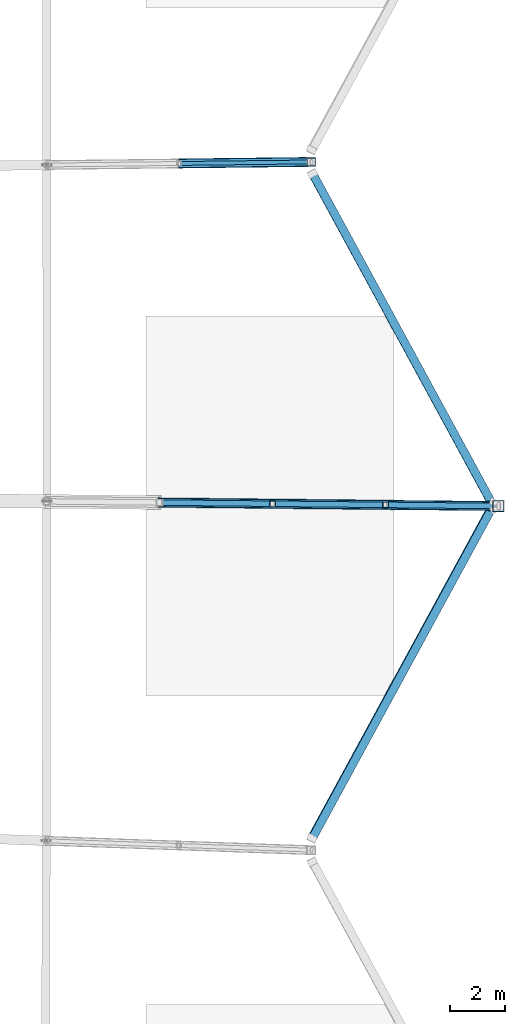
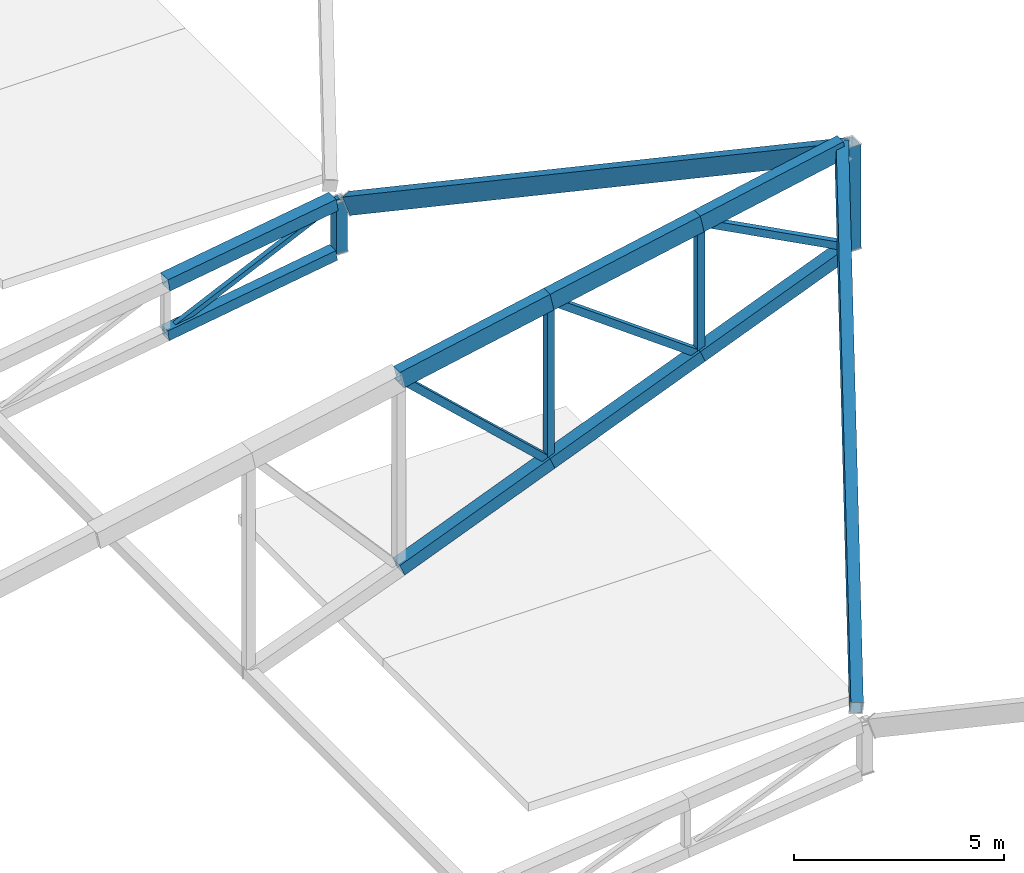
# One storey, part 59 of 188: 16 members, 2 beams.
"""IFC4 building model written with IfcOpenShell, lengths in metres."""

from ifc_helpers import new_model, si_unit, direction, frame, origin, origin_2d, place, context, subcontext, project, spatial, hollow_rectangle, extrude, material, material_profile, profile_set, type_object, element, save


model = new_model("IFC4")

# Units and contexts
model_context = context("Model", 3, precision=1e-05, world=origin(), true_north=direction((0.0, 1.0)))
body_context = subcontext(model_context, "Body", "Model", "MODEL_VIEW")
ifc_project = project(units=[si_unit("LENGTHUNIT", "METRE"), si_unit("AREAUNIT", "SQUARE_METRE"), si_unit("VOLUMEUNIT", "CUBIC_METRE"), si_unit("PLANEANGLEUNIT", "RADIAN"), si_unit("MASSUNIT", "GRAM", prefix="KILO")], contexts=[model_context])

# Site, building, storey
site_placement = place(None, origin())
site = spatial("IfcSite", under=ifc_project, at=site_placement, CompositionType="ELEMENT")
building_placement = place(site_placement, origin())
building = spatial("IfcBuilding", under=site, at=building_placement, Name="Meseta Stadium", CompositionType="ELEMENT")
storey_placement = place(building_placement, frame((0.0, 0.0, 30.0)))
storey = spatial("IfcBuildingStorey", under=building, at=storey_placement, Name="ROOF", CompositionType="ELEMENT", Elevation=30.0)

# Beams
ifc_material_1 = material(Name="Steel S355", Category="steel")
ifc_material_profile_1 = material_profile(ifc_material_1, hollow_rectangle(XDim=0.300048828125, YDim=0.5, WallThickness=0.01611328125, at=origin_2d()), Name="RHS 500x300x16")
ifc_profile_set_1 = profile_set([ifc_material_profile_1], Name="Steel S355")
beam_type = type_object("IfcBeamType", Name="RHS 500x300x16 rim ring beam", PredefinedType="BEAM", material=ifc_profile_set_1)
for number, where, z_axis, x_axis, name in (
    (1, (94.62646484375, -18.314697265625, 3.791015625), (0.431156015659, 0.792587708083, 0.431171909053), (-0.889806270208, 0.452683153892, 0.057643418362), "RIM RING BEAM 04"),
    (2, (101.27001953125, -6.3525390625, 10.407958984375), (-0.431156015659, 0.792587708083, -0.431171909053), (-0.883116799606, -0.468656035226, 0.021592565853), "RIM RING BEAM 05"),
):
    element("IfcBeam", number, at=place(storey_placement, frame(where, z_axis=z_axis, x_axis=x_axis)), inside=storey, type_object=beam_type, Name=name, PredefinedType="BEAM", context=body_context, shape_type="SweptSolid", body=[
        extrude(hollow_rectangle(XDim=0.300048828125, YDim=0.5, WallThickness=0.01611328125, at=origin_2d()), origin(), (0.0, 0.0, 1.0), 15.361083984375),
    ])

# Members
ifc_material_2 = material(Name="Steel S355", Category="steel")
ifc_material_profile_2 = material_profile(ifc_material_2, hollow_rectangle(XDim=0.300048828125, YDim=0.5, WallThickness=0.01611328125, at=origin_2d()), Name="RHS 500x300x16")
ifc_profile_set_2 = profile_set([ifc_material_profile_2], Name="Steel S355")
member_type_1 = type_object("IfcMemberType", Name="RHS 500x300x16 top chord", PredefinedType="CHORD", material=ifc_profile_set_2)
for number, where, z_axis, x_axis, name in (
    (3, (89.09814453125, -6.12353515625, 7.923828125), (0.97869929767, -0.01008067269, 0.205051371071), (0.010299525114, 0.999946958485, 0.0), "ROOF TRUSS RT-04 top chord"),
    (4, (93.19873046875, -6.165771484375, 8.782958984375), (0.978699870896, -0.010022408776, 0.205051491169), (0.010239996548, 0.999947569861, 0.0), "ROOF TRUSS RT-04 top chord"),
):
    element("IfcMember", number, at=place(storey_placement, frame(where, z_axis=z_axis, x_axis=x_axis)), inside=storey, type_object=member_type_1, Name=name, PredefinedType="CHORD", context=body_context, shape_type="SweptSolid", body=[
        extrude(hollow_rectangle(XDim=0.300048828125, YDim=0.5, WallThickness=0.01611328125, at=origin_2d()), origin(), (0.0, 0.0, 1.0), 4.18994140625),
    ])
member_1_placement = place(storey_placement, frame((97.29931640625, -6.207763671875, 9.64208984375), z_axis=(0.97870134622, -0.010096012637, 0.205040838461), x_axis=(0.010315174838, 0.999946797169, 0.0)))
element("IfcMember", 5, at=member_1_placement, inside=storey, type_object=member_type_1, Name="ROOF TRUSS RT-04 top chord", PredefinedType="CHORD", context=body_context, shape_type="SweptSolid", body=[
    extrude(hollow_rectangle(XDim=0.300048828125, YDim=0.5, WallThickness=0.01611328125, at=origin_2d()), origin(), (0.0, 0.0, 1.0), 3.989990234375),
])
ifc_material_3 = material(Name="Steel S355", Category="steel")
ifc_material_profile_3 = material_profile(ifc_material_3, hollow_rectangle(XDim=0.139892578125, YDim=0.139892578125, WallThickness=0.0048828125, at=origin_2d()), Name="SHS 140x140x5")
ifc_profile_set_3 = profile_set([ifc_material_profile_3], Name="Steel S355")
member_type_2 = type_object("IfcMemberType", Name="SHS 140x140x5 diagonal", PredefinedType="BRACE", material=ifc_profile_set_3)
member_2_placement = place(storey_placement, frame((89.798583984375, 6.193603515625, 1.4970703125), z_axis=(0.910898756828, 0.010699019313, 0.412491194809), x_axis=(-0.01174475352, 0.999931028004, 0.0)))
element("IfcMember", 6, at=member_2_placement, inside=storey, type_object=member_type_2, Name="ROOF TRUSS RT-05 diagonal", PredefinedType="BRACE", context=body_context, shape_type="SweptSolid", body=[
    extrude(hollow_rectangle(XDim=0.139892578125, YDim=0.139892578125, WallThickness=0.0048828125, at=origin_2d()), origin(), (0.0, 0.0, 1.0), 5.271240234375),
])
ifc_material_4 = material(Name="Steel S355", Category="steel")
ifc_material_profile_4 = material_profile(ifc_material_4, hollow_rectangle(XDim=0.199951171875, YDim=0.199951171875, WallThickness=0.008056640625, at=origin_2d()), Name="SHS 200x200x8")
ifc_profile_set_4 = profile_set([ifc_material_profile_4], Name="Steel S355")
member_type_3 = type_object("IfcMemberType", Name="SHS 200x200x8 diagonal", PredefinedType="BRACE", material=ifc_profile_set_4)
member_3_placement = place(storey_placement, frame((89.09814453125, -6.12353515625, 7.923828125), z_axis=(0.732778834154, -0.007547674346, -0.680425023664), x_axis=(0.010299525114, 0.999946958485, 0.0)))
element("IfcMember", 7, at=member_3_placement, inside=storey, type_object=member_type_3, Name="ROOF TRUSS RT-04 diagonal", PredefinedType="BRACE", context=body_context, shape_type="SweptSolid", body=[
    extrude(hollow_rectangle(XDim=0.199951171875, YDim=0.199951171875, WallThickness=0.008056640625, at=origin_2d()), origin(), (0.0, 0.0, 1.0), 5.595947265625),
])
member_4_placement = place(storey_placement, frame((93.19873046875, -6.165771484375, 8.782958984375), z_axis=(0.809470389338, -0.008289408607, -0.587102184027), x_axis=(0.010239996548, 0.999947569861, 0.0)))
element("IfcMember", 8, at=member_4_placement, inside=storey, type_object=member_type_3, Name="ROOF TRUSS RT-04 diagonal", PredefinedType="BRACE", context=body_context, shape_type="SweptSolid", body=[
    extrude(hollow_rectangle(XDim=0.199951171875, YDim=0.199951171875, WallThickness=0.008056640625, at=origin_2d()), origin(), (0.0, 0.0, 1.0), 5.065673828125),
])
member_5_placement = place(storey_placement, frame((97.29931640625, -6.207763671875, 9.64208984375), z_axis=(0.886420820762, -0.009130197785, -0.462790198694), x_axis=(0.010299525114, 0.999946958485, 0.0)))
element("IfcMember", 9, at=member_5_placement, inside=storey, type_object=member_type_3, Name="ROOF TRUSS RT-04 diagonal", PredefinedType="BRACE", context=body_context, shape_type="SweptSolid", body=[
    extrude(hollow_rectangle(XDim=0.199951171875, YDim=0.199951171875, WallThickness=0.008056640625, at=origin_2d()), origin(), (0.0, 0.0, 1.0), 4.6259765625),
])
ifc_material_5 = material(Name="Steel S355", Category="steel")
ifc_material_profile_5 = material_profile(ifc_material_5, hollow_rectangle(XDim=0.199951171875, YDim=0.199951171875, WallThickness=0.008056640625, at=origin_2d()), Name="SHS 200x200x8")
ifc_profile_set_5 = profile_set([ifc_material_profile_5], Name="Steel S355")
member_type_4 = type_object("IfcMemberType", Name="SHS 200x200x8 post", PredefinedType="POST", material=ifc_profile_set_5)
member_6_placement = place(storey_placement, frame((93.19873046875, -6.165771484375, 4.1162109375), z_axis=(0.0, 0.0, 1.0), x_axis=(1.0, 0.0, 0.0)))
element("IfcMember", 10, at=member_6_placement, inside=storey, type_object=member_type_4, Name="ROOF TRUSS RT-04 post", PredefinedType="POST", context=body_context, shape_type="SweptSolid", body=[
    extrude(hollow_rectangle(XDim=0.199951171875, YDim=0.199951171875, WallThickness=0.008056640625, at=origin_2d()), origin(), (0.0, 0.0, 1.0), 4.666748046875),
])
member_7_placement = place(storey_placement, frame((97.29931640625, -6.207763671875, 5.808837890625), z_axis=(0.0, 0.0, 1.0), x_axis=(1.0, 0.0, 0.0)))
element("IfcMember", 11, at=member_7_placement, inside=storey, type_object=member_type_4, Name="ROOF TRUSS RT-04 post", PredefinedType="POST", context=body_context, shape_type="SweptSolid", body=[
    extrude(hollow_rectangle(XDim=0.199951171875, YDim=0.199951171875, WallThickness=0.008056640625, at=origin_2d()), origin(), (0.0, 0.0, 1.0), 3.833251953125),
])
ifc_material_6 = material(Name="Steel S355", Category="steel")
ifc_material_profile_6 = material_profile(ifc_material_6, hollow_rectangle(XDim=0.300048828125, YDim=0.300048828125, WallThickness=0.010009765625, at=origin_2d()), Name="SHS 300x300x10")
ifc_profile_set_6 = profile_set([ifc_material_profile_6], Name="Steel S355")
member_type_5 = type_object("IfcMemberType", Name="SHS 300x300x10 bottom chord", PredefinedType="CHORD", material=ifc_profile_set_6)
member_8_placement = place(storey_placement, frame((89.798583984375, 6.193603515625, 1.4970703125), z_axis=(0.989565446191, 0.011630340519, 0.143613936941), x_axis=(-0.011752165946, 0.999930940913, 0.0)))
element("IfcMember", 12, at=member_8_placement, inside=storey, type_object=member_type_5, Name="ROOF TRUSS RT-05 bottom chord", PredefinedType="CHORD", context=body_context, shape_type="SweptSolid", body=[
    extrude(hollow_rectangle(XDim=0.300048828125, YDim=0.300048828125, WallThickness=0.010009765625, at=origin_2d()), origin(), (0.0, 0.0, 1.0), 4.7021484375),
])
ifc_material_7 = material(Name="Steel S355", Category="steel")
ifc_material_profile_7 = material_profile(ifc_material_7, hollow_rectangle(XDim=0.300048828125, YDim=0.300048828125, WallThickness=0.010009765625, at=origin_2d()), Name="SHS 300x300x10")
ifc_profile_set_7 = profile_set([ifc_material_profile_7], Name="Steel S355")
member_type_6 = type_object("IfcMemberType", Name="SHS 300x300x10 rim post", PredefinedType="POST", material=ifc_profile_set_7)
member_9_placement = place(storey_placement, frame((94.60009765625, 6.25, 2.19384765625), z_axis=(0.0, 0.0, 1.0), x_axis=(1.0, 0.0, 0.0)))
element("IfcMember", 13, at=member_9_placement, inside=storey, type_object=member_type_6, Name="ROOF TRUSS RT-05 post", PredefinedType="POST", context=body_context, shape_type="SweptSolid", body=[
    extrude(hollow_rectangle(XDim=0.300048828125, YDim=0.300048828125, WallThickness=0.010009765625, at=origin_2d()), origin(), (0.0, 0.0, 1.0), 1.4775390625),
])
ifc_material_8 = material(Name="Steel S355", Category="steel")
ifc_material_profile_8 = material_profile(ifc_material_8, hollow_rectangle(XDim=0.35009765625, YDim=0.35009765625, WallThickness=0.010009765625, at=origin_2d()), Name="SHS 350x350x10")
ifc_profile_set_8 = profile_set([ifc_material_profile_8], Name="Steel S355")
member_type_7 = type_object("IfcMemberType", Name="SHS 350x350x10 bottom chord", PredefinedType="CHORD", material=ifc_profile_set_8)
for number, where, z_axis, x_axis, name in (
    (14, (89.09814453125, -6.12353515625, 2.423828125), (0.924325878, -0.009520622582, 0.381485293302), (0.010299525114, 0.999946958485, 0.0), "ROOF TRUSS RT-04 bottom chord"),
    (15, (93.19873046875, -6.165771484375, 4.1162109375), (0.924306954696, -0.009465396297, 0.3815325147), (0.010239996548, 0.999947569861, 0.0), "ROOF TRUSS RT-04 bottom chord"),
):
    element("IfcMember", number, at=place(storey_placement, frame(where, z_axis=z_axis, x_axis=x_axis)), inside=storey, type_object=member_type_7, Name=name, PredefinedType="CHORD", context=body_context, shape_type="SweptSolid", body=[
        extrude(hollow_rectangle(XDim=0.35009765625, YDim=0.35009765625, WallThickness=0.010009765625, at=origin_2d()), origin(), (0.0, 0.0, 1.0), 4.436279296875),
    ])
member_10_placement = place(storey_placement, frame((97.29931640625, -6.207763671875, 5.808837890625), z_axis=(0.924337624484, -0.009509053435, 0.381457119301), x_axis=(0.010286880081, 0.999947088649, 0.0)))
element("IfcMember", 16, at=member_10_placement, inside=storey, type_object=member_type_7, Name="ROOF TRUSS RT-04 bottom chord", PredefinedType="CHORD", context=body_context, shape_type="SweptSolid", body=[
    extrude(hollow_rectangle(XDim=0.35009765625, YDim=0.35009765625, WallThickness=0.010009765625, at=origin_2d()), origin(), (0.0, 0.0, 1.0), 4.236328125),
])
ifc_material_9 = material(Name="Steel S355", Category="steel")
ifc_material_profile_9 = material_profile(ifc_material_9, hollow_rectangle(XDim=0.35009765625, YDim=0.35009765625, WallThickness=0.010009765625, at=origin_2d()), Name="SHS 350x350x10")
ifc_profile_set_9 = profile_set([ifc_material_profile_9], Name="Steel S355")
member_type_8 = type_object("IfcMemberType", Name="SHS 350x350x10 top chord", PredefinedType="CHORD", material=ifc_profile_set_9)
member_11_placement = place(storey_placement, frame((89.798583984375, 6.193603515625, 2.974365234375), z_axis=(0.989558066144, 0.011630253781, 0.143664786663), x_axis=(-0.011752165946, 0.999930940913, 0.0)))
element("IfcMember", 17, at=member_11_placement, inside=storey, type_object=member_type_8, Name="ROOF TRUSS RT-05 top chord", PredefinedType="CHORD", context=body_context, shape_type="SweptSolid", body=[
    extrude(hollow_rectangle(XDim=0.35009765625, YDim=0.35009765625, WallThickness=0.010009765625, at=origin_2d()), origin(), (0.0, 0.0, 1.0), 4.7021484375),
])
ifc_material_10 = material(Name="Steel S355", Category="steel")
ifc_material_profile_10 = material_profile(ifc_material_10, hollow_rectangle(XDim=0.39990234375, YDim=0.39990234375, WallThickness=0.01416015625, at=origin_2d()), Name="SHS 400x400x14.2")
ifc_profile_set_10 = profile_set([ifc_material_profile_10], Name="Steel S355")
member_type_9 = type_object("IfcMemberType", Name="SHS 400x400x14.2 rim post", PredefinedType="POST", material=ifc_profile_set_10)
member_12_placement = place(storey_placement, frame((101.39990234375, -6.25, 7.501220703125), z_axis=(0.0, 0.0, 1.0), x_axis=(1.0, 0.0, 0.0)))
element("IfcMember", 18, at=member_12_placement, inside=storey, type_object=member_type_9, Name="ROOF TRUSS RT-04 post", PredefinedType="POST", context=body_context, shape_type="SweptSolid", body=[
    extrude(hollow_rectangle(XDim=0.39990234375, YDim=0.39990234375, WallThickness=0.01416015625, at=origin_2d()), origin(), (0.0, 0.0, 1.0), 3.0),
])

save(model, "model.ifc")
